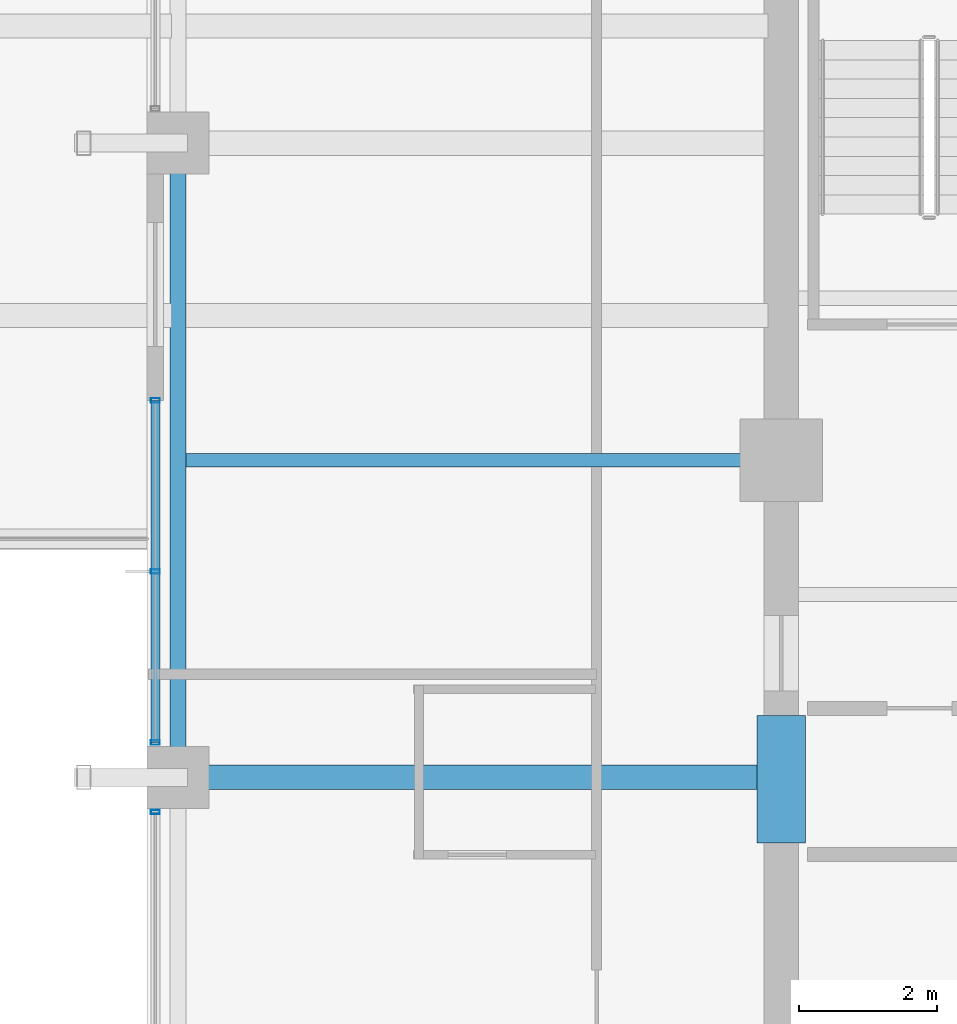
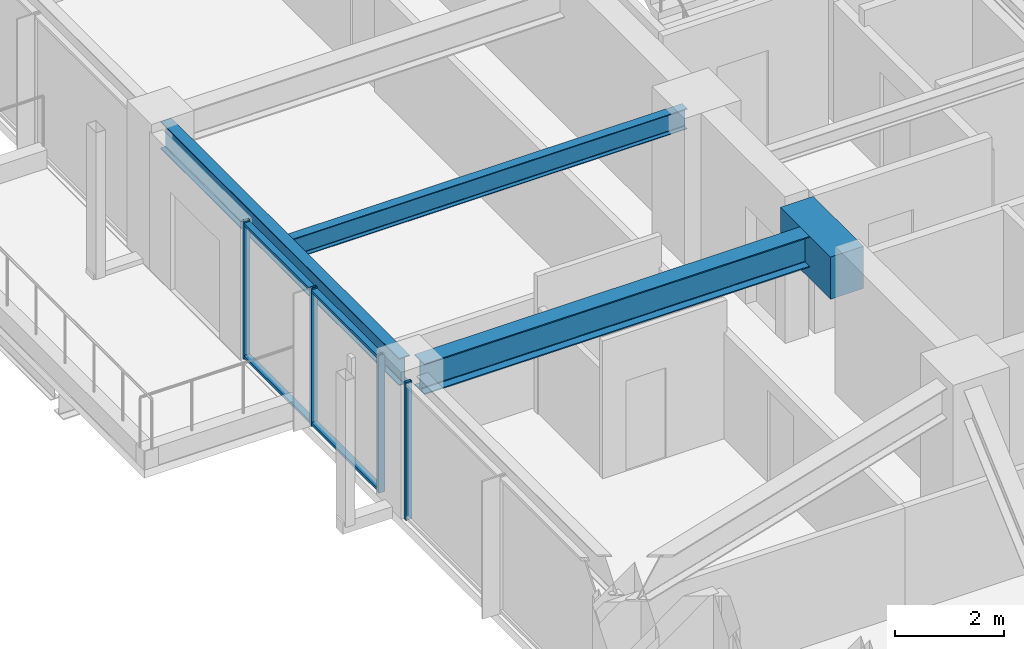
# One storey, part 8 of 34: 6 members, 4 beams, 2 elements without a shape of their own.
"""IFC4 building model written with IfcOpenShell, lengths in metres."""

from ifc_helpers import new_model, si_unit, direction, frame, origin, origin_2d, place, context, subcontext, project, spatial, rectangle, hollow_rectangle, i_section, extrude, material, material_profile, profile_set, type_object, element, aggregate, save


model = new_model("IFC4")

# Units and contexts
model_context = context("Model", 3, precision=1e-05, world=origin(), true_north=direction((0.0, 1.0)))
body_context = subcontext(model_context, "Body", "Model", "MODEL_VIEW")
ifc_project = project(units=[si_unit("LENGTHUNIT", "METRE"), si_unit("AREAUNIT", "SQUARE_METRE"), si_unit("VOLUMEUNIT", "CUBIC_METRE"), si_unit("PLANEANGLEUNIT", "RADIAN"), si_unit("MASSUNIT", "GRAM", prefix="KILO")], contexts=[model_context])

# Site, building, storey
site_placement = place(None, origin())
site = spatial("IfcSite", under=ifc_project, at=site_placement, CompositionType="ELEMENT")
building_placement = place(site_placement, origin())
building = spatial("IfcBuilding", under=site, at=building_placement, Name="Kolvaren Belvedere", CompositionType="ELEMENT")
storey_placement = place(building_placement, frame((0.0, 0.0, 166.800048828125)))
storey = spatial("IfcBuildingStorey", under=building, at=storey_placement, Name="L48", CompositionType="ELEMENT", Elevation=166.800048828125)

# Beams
ifc_material_1 = material(Name="Structural steel ASTM A992 Grade 50", Category="steel")
ifc_material_profile_1 = material_profile(ifc_material_1, i_section(OverallWidth=0.35498046875, OverallDepth=0.696044921875, WebThickness=0.015380859375, FlangeThickness=0.02490234375, FilletRadius=0.02197265625, at=origin_2d()), Name="W27X146")
ifc_profile_set_1 = profile_set([ifc_material_profile_1], Name="Structural steel ASTM A992 Grade 50")
beam_type_1 = type_object("IfcBeamType", Name="BM-GIRD-W27X146", PredefinedType="BEAM", material=ifc_profile_set_1)
beam_1_placement = place(storey_placement, frame((-10.14990234375, -4.60009765625, 2.751953125), z_axis=(-1.0, 0.0, 0.0), x_axis=(0.0, -1.0, 0.0)))
element("IfcBeam", 1, at=beam_1_placement, inside=storey, type_object=beam_type_1, Name="L48 West Radial Girder M", PredefinedType="BEAM", context=body_context, shape_type="SweptSolid", body=[
    extrude(i_section(OverallWidth=0.35498046875, OverallDepth=0.696044921875, WebThickness=0.015380859375, FlangeThickness=0.02490234375, FilletRadius=0.02197265625, at=origin_2d()), origin(), (0.0, 0.0, 1.0), 8.297607421875),
])
ifc_material_2 = material(Name="Structural steel ASTM A992 Grade 50", Category="steel")
ifc_material_profile_2 = material_profile(ifc_material_2, i_section(OverallWidth=0.19091796875, OverallDepth=0.4599609375, WebThickness=0.010009765625, FlangeThickness=0.01611328125, FilletRadius=0.014892578125, at=origin_2d()), Name="W18X55")
ifc_profile_set_2 = profile_set([ifc_material_profile_2], Name="Structural steel ASTM A992 Grade 50")
beam_type_2 = type_object("IfcBeamType", Name="BM-JOIST-W18X55", PredefinedType="BEAM", material=ifc_profile_set_2)
beam_2_placement = place(storey_placement, frame((-10.14990234375, 0.0, 2.869873046875), z_axis=(-1.0, 0.0, 0.0), x_axis=(0.0, -1.0, 0.0)))
element("IfcBeam", 2, at=beam_2_placement, inside=storey, type_object=beam_type_2, Name="L48 West Centre Floor Beam", PredefinedType="BEAM", context=body_context, shape_type="SweptSolid", body=[
    extrude(i_section(OverallWidth=0.19091796875, OverallDepth=0.4599609375, WebThickness=0.010009765625, FlangeThickness=0.01611328125, FilletRadius=0.014892578125, at=origin_2d()), origin(), (0.0, 0.0, 1.0), 8.385498046875),
])
ifc_material_3 = material(Name="Concrete C60/75", Category="concrete")
ifc_material_profile_3 = material_profile(ifc_material_3, rectangle(XDim=0.699951171875, YDim=0.949951171875, at=origin_2d()), Name="RC 700X950")
ifc_profile_set_3 = profile_set([ifc_material_profile_3], Name="Concrete C60/75")
beam_type_3 = type_object("IfcBeamType", Name="BM-LINT-950", PredefinedType="LINTEL", material=ifc_profile_set_3)
beam_3_placement = place(storey_placement, frame((-9.89990234375, -5.550048828125, 2.625), z_axis=(0.0, 1.0, 0.0), x_axis=(-1.0, 0.0, 0.0)))
element("IfcBeam", 3, at=beam_3_placement, inside=storey, type_object=beam_type_3, Name="L48 West Core Coupling Lintel", PredefinedType="LINTEL", context=body_context, shape_type="SweptSolid", body=[
    extrude(rectangle(XDim=0.699951171875, YDim=0.949951171875, at=origin_2d()), origin(), (0.0, 0.0, 1.0), 1.85009765625),
])
ifc_material_4 = material(Name="Structural steel ASTM A992 Grade 50", Category="steel")
ifc_material_profile_4 = material_profile(ifc_material_4, i_section(OverallWidth=0.22900390625, OverallDepth=0.612060546875, WebThickness=0.011962890625, FlangeThickness=0.01953125, FilletRadius=0.01806640625, at=origin_2d()), Name="W24X84")
ifc_profile_set_4 = profile_set([ifc_material_profile_4], Name="Structural steel ASTM A992 Grade 50")
beam_type_4 = type_object("IfcBeamType", Name="BM-SPAN-W24X84", PredefinedType="SPANDREL", material=ifc_profile_set_4)
beam_4_placement = place(storey_placement, frame((-18.64990234375, 4.3974609375, 2.7939453125), z_axis=(0.0, -1.0, 0.0), x_axis=(1.0, 0.0, 0.0)))
element("IfcBeam", 4, at=beam_4_placement, inside=storey, type_object=beam_type_4, Name="L48 Perimeter Spandrel W3-W2", PredefinedType="SPANDREL", context=body_context, shape_type="SweptSolid", body=[
    extrude(i_section(OverallWidth=0.22900390625, OverallDepth=0.612060546875, WebThickness=0.011962890625, FlangeThickness=0.01953125, FilletRadius=0.01806640625, at=origin_2d()), origin(), (0.0, 0.0, 1.0), 8.794921875),
])

# Curtain wall, member
ifc_material_5 = material(Name="Anodised pale-metal aluminium AA 6063-T6", Category="aluminium")
curtain_wall_type = type_object("IfcCurtainWallType", Name="CW-Z3-WAIST", PredefinedType="NOTDEFINED", material=ifc_material_5)
curtain_wall_1_placement = place(storey_placement, origin())
curtain_wall_1 = element("IfcCurtainWall", 5, at=curtain_wall_1_placement, inside=storey, type_object=curtain_wall_type, Name="L48 Unitised Curtain Wall FCW-L48-W1-B1", PredefinedType="NOTDEFINED")
ifc_material_6 = material(Name="Anodised pale-metal aluminium AA 6063-T6", Category="aluminium")
ifc_material_profile_5 = material_profile(ifc_material_6, hollow_rectangle(XDim=0.06494140625, YDim=0.1298828125, WallThickness=0.00390625, at=origin_2d()), Name="ALU-MUL-130X65")
ifc_profile_set_5 = profile_set([ifc_material_profile_5], Name="Anodised pale-metal aluminium AA 6063-T6")
member_type_1 = type_object("IfcMemberType", Name="CW-MUL-130", PredefinedType="MULLION", material=ifc_profile_set_5)
member_1_placement = place(storey_placement, frame((-18.97998046875, -5.1025390625, 0.0), z_axis=(0.0, 0.0, 1.0), x_axis=(0.0, 1.0, 0.0)))
member_1 = element("IfcMember", 6, at=member_1_placement, type_object=member_type_1, Name="FCW-L48-W1-B1 Unitised Mullion 3", PredefinedType="MULLION", context=body_context, shape_type="SweptSolid", body=[
    extrude(hollow_rectangle(XDim=0.06494140625, YDim=0.1298828125, WallThickness=0.00390625, at=origin_2d()), origin(), (0.0, 0.0, 1.0), 3.099853515625),
])
aggregate(curtain_wall_1, [member_1])

# Curtain wall, members
curtain_wall_2_placement = place(storey_placement, origin())
curtain_wall_2 = element("IfcCurtainWall", 7, at=curtain_wall_2_placement, inside=storey, type_object=curtain_wall_type, Name="L48 Unitised Curtain Wall FCW-L48-W1-B2", PredefinedType="NOTDEFINED")
member_2_placement = place(storey_placement, frame((-18.97998046875, -4.097412109375, 0.0), z_axis=(0.0, 0.0, 1.0), x_axis=(0.0, 1.0, 0.0)))
member_2 = element("IfcMember", 8, at=member_2_placement, type_object=member_type_1, Name="FCW-L48-W1-B2 Unitised Mullion 1", PredefinedType="MULLION", context=body_context, shape_type="SweptSolid", body=[
    extrude(hollow_rectangle(XDim=0.06494140625, YDim=0.1298828125, WallThickness=0.00390625, at=origin_2d()), origin(), (0.0, 0.0, 1.0), 3.099853515625),
])
member_3_placement = place(storey_placement, frame((-18.97998046875, -1.61376953125, 0.0), z_axis=(0.0, 0.0, 1.0), x_axis=(0.0, 1.0, 0.0)))
member_3 = element("IfcMember", 9, at=member_3_placement, type_object=member_type_1, Name="FCW-L48-W1-B2 Unitised Mullion 2", PredefinedType="MULLION", context=body_context, shape_type="SweptSolid", body=[
    extrude(hollow_rectangle(XDim=0.06494140625, YDim=0.1298828125, WallThickness=0.00390625, at=origin_2d()), origin(), (0.0, 0.0, 1.0), 3.099853515625),
])
member_4_placement = place(storey_placement, frame((-18.97998046875, 0.8701171875, 0.0), z_axis=(0.0, 0.0, 1.0), x_axis=(0.0, 1.0, 0.0)))
member_4 = element("IfcMember", 10, at=member_4_placement, type_object=member_type_1, Name="FCW-L48-W1-B2 Unitised Mullion 3", PredefinedType="MULLION", context=body_context, shape_type="SweptSolid", body=[
    extrude(hollow_rectangle(XDim=0.06494140625, YDim=0.1298828125, WallThickness=0.00390625, at=origin_2d()), origin(), (0.0, 0.0, 1.0), 3.099853515625),
])
ifc_material_7 = material(Name="Anodised pale-metal aluminium AA 6063-T6", Category="aluminium")
ifc_material_profile_6 = material_profile(ifc_material_7, hollow_rectangle(XDim=0.06005859375, YDim=0.1298828125, WallThickness=0.00390625, at=origin_2d()), Name="ALU-TRN-130X60")
ifc_profile_set_6 = profile_set([ifc_material_profile_6], Name="Anodised pale-metal aluminium AA 6063-T6")
member_type_2 = type_object("IfcMemberType", Name="CW-TRN-130", PredefinedType="USERDEFINED", material=ifc_profile_set_6)
member_5_placement = place(storey_placement, frame((-18.97998046875, -4.097412109375, 0.06005859375), z_axis=(0.0, 1.0, 0.0), x_axis=(0.0, 0.0, 1.0)))
member_5 = element("IfcMember", 11, at=member_5_placement, type_object=member_type_2, Name="FCW-L48-W1-B2 Sill Transom", ObjectType="TRANSOM", PredefinedType="USERDEFINED", context=body_context, shape_type="SweptSolid", body=[
    extrude(hollow_rectangle(XDim=0.06005859375, YDim=0.1298828125, WallThickness=0.00390625, at=origin_2d()), origin(), (0.0, 0.0, 1.0), 4.967529296875),
])
member_6_placement = place(storey_placement, frame((-18.97998046875, -4.097412109375, 3.0400390625), z_axis=(0.0, 1.0, 0.0), x_axis=(0.0, 0.0, 1.0)))
member_6 = element("IfcMember", 12, at=member_6_placement, type_object=member_type_2, Name="FCW-L48-W1-B2 Head Transom", ObjectType="TRANSOM", PredefinedType="USERDEFINED", context=body_context, shape_type="SweptSolid", body=[
    extrude(hollow_rectangle(XDim=0.06005859375, YDim=0.1298828125, WallThickness=0.00390625, at=origin_2d()), origin(), (0.0, 0.0, 1.0), 4.967529296875),
])
aggregate(curtain_wall_2, [member_2, member_3, member_4, member_5, member_6])

save(model, "model.ifc")
